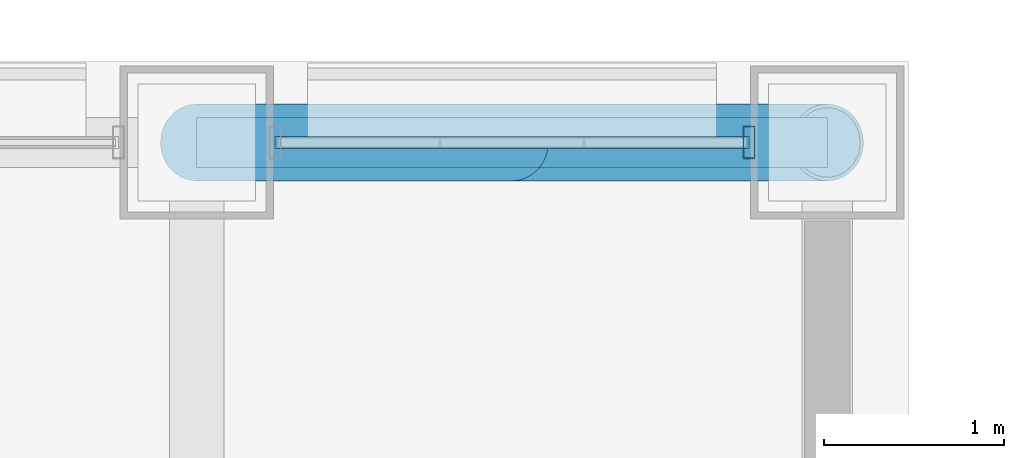
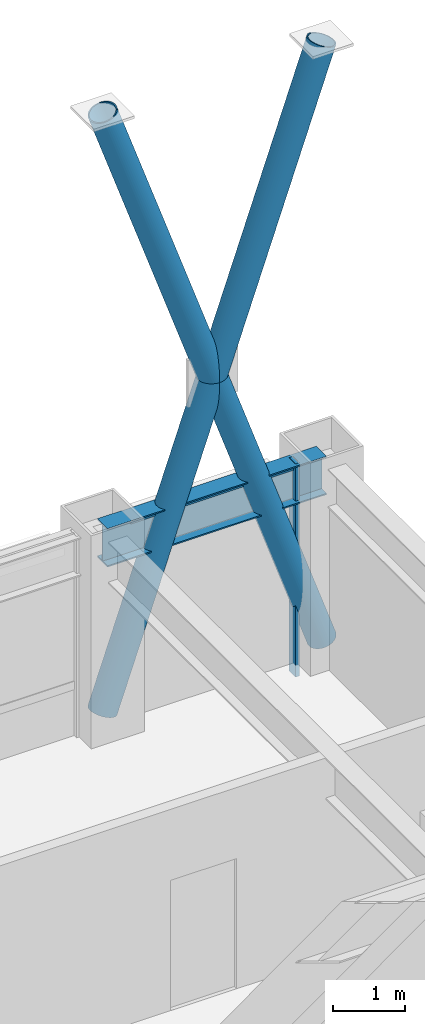
# One storey, part 23 of 32: 5 members, 1 beam, 1 element without a shape of its own.
"""IFC4 building model written with IfcOpenShell, lengths in metres."""

import ifcopenshell
import ifcopenshell.guid

model = None  # the IFC model being written
_history = None  # IfcOwnerHistory: only IFC2X3 demands one
_inside = {}  # id of a spatial element -> (the spatial element, [elements in it])
_under = {}  # id of a project, library or spatial element -> (it, [spatial elements below it])
_declared = {}  # id of a project -> (the project, [libraries it declares])
_typed = {}  # id of a type object -> (the type object, [elements of that type])
_made_of = {}  # id of a material, layer set ... -> (it, [elements and type objects made of it])


def new_model(schema):
    """Start an empty IFC model of exactly this schema.

    Asked for "IFC4X3", IfcOpenShell would pick the latest addendum, in which some entities
    have other attributes; the version numbers below select the first issue.
    IFC2X3 requires an IfcOwnerHistory on every rooted entity: one is made here for all.
    """
    global model, _history
    if schema == "IFC4X3":
        model = ifcopenshell.file(schema_version=(4, 3, 0, 0))
    else:
        model = ifcopenshell.file(schema=schema)
    _inside.clear()
    _under.clear()
    _declared.clear()
    _typed.clear()
    _made_of.clear()
    _history = None
    if model.schema == "IFC2X3":
        org = make("IfcOrganization", Name="unknown")
        user = make(
            "IfcPersonAndOrganization",
            ThePerson=make("IfcPerson", FamilyName="unknown"),
            TheOrganization=org,
        )
        app = make(
            "IfcApplication",
            ApplicationDeveloper=org,
            Version="unknown",
            ApplicationFullName="unknown",
            ApplicationIdentifier="unknown",
        )
        _history = make(
            "IfcOwnerHistory",
            OwningUser=user,
            OwningApplication=app,
            ChangeAction="ADDED",
            CreationDate=0,
        )
    return model


def make(cls, **values):
    """One entity of the class cls with the attributes given. An attribute that is None is left unset."""
    return model.create_entity(
        cls, **{name: value for name, value in values.items() if value is not None}
    )


def rooted(cls, **values):
    """An entity with a GlobalId (a new one), such as an element, a storey or a relation."""
    return make(cls, GlobalId=ifcopenshell.guid.new(), OwnerHistory=_history, **values)


def si_unit(unit_type, name, prefix=None):
    """IfcSIUnit, for example si_unit("LENGTHUNIT", "METRE", prefix="MILLI")."""
    return make("IfcSIUnit", UnitType=unit_type, Prefix=prefix, Name=name)


def assignment(units):
    """IfcUnitAssignment: the units of a project."""
    return None if units is None else make("IfcUnitAssignment", Units=units)


def point(xyz):
    """IfcCartesianPoint."""
    return None if xyz is None else make("IfcCartesianPoint", Coordinates=xyz)


def direction(xyz):
    """IfcDirection."""
    return None if xyz is None else make("IfcDirection", DirectionRatios=xyz)


def frame(location, z_axis=None, x_axis=None):
    """IfcAxis2Placement3D, a coordinate frame: its origin and axes. An axis left out is left unset."""
    return make(
        "IfcAxis2Placement3D",
        Location=point(location),
        Axis=direction(z_axis),
        RefDirection=direction(x_axis),
    )


def frame_2d(location, x_axis=None):
    """IfcAxis2Placement2D, a coordinate frame in the plane: its origin and x axis."""
    return make(
        "IfcAxis2Placement2D", Location=point(location), RefDirection=direction(x_axis)
    )


def origin():
    """The frame at (0, 0, 0) with its axes left unset."""
    return frame((0.0, 0.0, 0.0))


def origin_2d():
    """The frame at (0, 0) in the plane with its x axis left unset."""
    return frame_2d((0.0, 0.0))


def place(relative_to, where):
    """IfcLocalPlacement: puts the frame where relative to a parent placement (None: the world)."""
    return make(
        "IfcLocalPlacement", PlacementRelTo=relative_to, RelativePlacement=where
    )


def context(
    kind, dimensions, precision=None, world=None, true_north=None, identifier=None
):
    """IfcGeometricRepresentationContext, for example the 3D "Model" context."""
    return make(
        "IfcGeometricRepresentationContext",
        ContextIdentifier=identifier,
        ContextType=kind,
        CoordinateSpaceDimension=dimensions,
        Precision=precision,
        WorldCoordinateSystem=world,
        TrueNorth=true_north,
    )


def subcontext(parent, identifier, kind, view, scale=None):
    """IfcGeometricRepresentationSubContext, for example "Body" below "Model"."""
    return make(
        "IfcGeometricRepresentationSubContext",
        ContextIdentifier=identifier,
        ContextType=kind,
        ParentContext=parent,
        TargetScale=scale,
        TargetView=view,
    )


def project(units=None, contexts=None):
    """IfcProject with its units and contexts."""
    return rooted(
        "IfcProject",
        Name="project",
        RepresentationContexts=contexts,
        UnitsInContext=assignment(units),
    )


def spatial(cls, under=None, at=None, **own):
    """A site, building, storey or space (cls), placed at a placement, below another one or the project."""
    s = rooted(cls, ObjectPlacement=at, **own)
    if under is not None:
        _under.setdefault(under.id(), (under, []))[1].append(s)
    return s


def profile(cls, at=None, kind="AREA", **sizes):
    """A parametric profile (cls). Its sizes go by their IFC names, for example OverallWidth=200.0."""
    return make(cls, ProfileType=kind, Position=at, **sizes)


def hollow_rectangle(**sizes):
    """IfcRectangleHollowProfileDef."""
    return profile("IfcRectangleHollowProfileDef", **sizes)


def hollow_circle(**sizes):
    """IfcCircleHollowProfileDef."""
    return profile("IfcCircleHollowProfileDef", **sizes)


def i_section(**sizes):
    """IfcIShapeProfileDef."""
    return profile("IfcIShapeProfileDef", **sizes)


def extrude(swept, where, along, depth):
    """IfcExtrudedAreaSolid: the profile swept, set in the frame where, extruded along a direction by depth."""
    return make(
        "IfcExtrudedAreaSolid",
        SweptArea=swept,
        Position=where,
        ExtrudedDirection=direction(along),
        Depth=depth,
    )


def shape(context_of_items, identifier, shape_type, items):
    """IfcShapeRepresentation: the items that make up one representation, for example the "Body"."""
    return make(
        "IfcShapeRepresentation",
        ContextOfItems=context_of_items,
        RepresentationIdentifier=identifier,
        RepresentationType=shape_type,
        Items=items,
    )


def material(Name=None, Category=None):
    """IfcMaterial."""
    return make("IfcMaterial", Name=Name, Category=Category)


def layer(
    of_material, thickness, ventilated=None, Name=None, Category=None, Priority=None
):
    """IfcMaterialLayer: one layer of a wall or slab, of a material (None: an air gap)."""
    return make(
        "IfcMaterialLayer",
        Material=of_material,
        LayerThickness=thickness,
        IsVentilated=ventilated,
        Name=Name,
        Category=Category,
        Priority=Priority,
    )


def layer_set(layers, Name=None):
    """IfcMaterialLayerSet."""
    return make("IfcMaterialLayerSet", MaterialLayers=layers, LayerSetName=Name)


def material_profile(
    of_material, cross_section, Name=None, Category=None, Priority=None
):
    """IfcMaterialProfile: a cross section and its material."""
    return make(
        "IfcMaterialProfile",
        Name=Name,
        Material=of_material,
        Profile=cross_section,
        Priority=Priority,
        Category=Category,
    )


def profile_set(profiles, Name=None, composite=None):
    """IfcMaterialProfileSet."""
    return make(
        "IfcMaterialProfileSet",
        Name=Name,
        MaterialProfiles=profiles,
        CompositeProfile=composite,
    )


def made_of(thing, what):
    """Note that an element or type object is made of a material, layer set ...; save() writes the relation."""
    if what is not None:
        _made_of.setdefault(what.id(), (what, []))[1].append(thing)
    return thing


def type_object(cls, material=None, **own):
    """A type object (cls), such as IfcWallType, which elements share."""
    return made_of(rooted(cls, **own), material)


def element(
    cls,
    number,
    at=None,
    inside=None,
    cuts=None,
    type_object=None,
    material=None,
    context=None,
    identifier="Body",
    shape_type=None,
    held_by="IfcProductDefinitionShape",
    body=None,
    shapes=None,
    **own,
):
    """One element of the class cls, such as IfcWall. Its Tag is "e" and its number.

    at: its placement. inside: the storey or other place that contains it. cuts: it is an
    opening in that element (IfcRelVoidsElement). A single representation is given by context,
    identifier, shape_type and body (its items); several are given by shapes. held_by: the class
    of the entity that holds the representations. save() writes the other relations.
    """
    e = rooted(cls, Tag="e%d" % number, ObjectPlacement=at, **own)
    if body is not None:
        shapes = [shape(context, identifier, shape_type, body)]
    if shapes is not None:
        e.Representation = make(held_by, Representations=shapes)
    if inside is not None:
        _inside.setdefault(inside.id(), (inside, []))[1].append(e)
    if cuts is not None:
        rooted(
            "IfcRelVoidsElement", RelatingBuildingElement=cuts, RelatedOpeningElement=e
        )
    if type_object is not None:
        _typed.setdefault(type_object.id(), (type_object, []))[1].append(e)
    return made_of(e, material)


def aggregate(whole, parts):
    """IfcRelAggregates: a whole, such as a stair, and the parts it consists of."""
    return rooted("IfcRelAggregates", RelatingObject=whole, RelatedObjects=parts)


def save(model, path):
    """Write the relations noted so far, then the file.

    IfcRelAggregates (storeys below a building ...), IfcRelContainedInSpatialStructure (elements
    in a storey), IfcRelDefinesByType, IfcRelAssociatesMaterial and IfcRelDeclares: one each for
    every whole, place, type object, material and project.
    """
    for whole, parts in _under.values():
        aggregate(whole, parts)
    for where, things in _inside.values():
        rooted(
            "IfcRelContainedInSpatialStructure",
            RelatedElements=things,
            RelatingStructure=where,
        )
    for kind, things in _typed.values():
        rooted("IfcRelDefinesByType", RelatedObjects=things, RelatingType=kind)
    for what, things in _made_of.values():
        rooted("IfcRelAssociatesMaterial", RelatedObjects=things, RelatingMaterial=what)
    for by, libraries in _declared.values():
        rooted("IfcRelDeclares", RelatingContext=by, RelatedDefinitions=libraries)
    model.write(path)


model = new_model("IFC4")

# Units and contexts
model_context = context("Model", 3, precision=1e-05, world=origin(), true_north=direction((0.0, 1.0)))
body_context = subcontext(model_context, "Body", "Model", "MODEL_VIEW")
ifc_project = project(units=[si_unit("LENGTHUNIT", "METRE"), si_unit("AREAUNIT", "SQUARE_METRE"), si_unit("VOLUMEUNIT", "CUBIC_METRE"), si_unit("PLANEANGLEUNIT", "RADIAN"), si_unit("MASSUNIT", "GRAM", prefix="KILO")], contexts=[model_context])

# Site, building, storey
site_placement = place(None, origin())
site = spatial("IfcSite", under=ifc_project, at=site_placement, CompositionType="ELEMENT")
building_placement = place(site_placement, origin())
building = spatial("IfcBuilding", under=site, at=building_placement, Name="Brelmoor Portico Tower", CompositionType="ELEMENT")
storey_placement = place(building_placement, frame((0.0, 0.0, 109.800048828125)))
storey = spatial("IfcBuildingStorey", under=building, at=storey_placement, Name="L28", CompositionType="ELEMENT", Elevation=109.800048828125)

# Beam
ifc_material_1 = material(Name="Steel Q355B", Category="steel")
ifc_material_profile_1 = material_profile(ifc_material_1, i_section(OverallWidth=0.280029296875, OverallDepth=0.64990234375, WebThickness=0.012939453125, FlangeThickness=0.02197265625, at=origin_2d()), Name="HN 650x280x13x22")
ifc_profile_set_1 = profile_set([ifc_material_profile_1], Name="Steel Q355B")
beam_type = type_object("IfcBeamType", Name="BM-SP-650", PredefinedType="SPANDREL", material=ifc_profile_set_1)
beam_placement = place(storey_placement, frame((14.550048828125, 19.550048828125, 3.074951171875), z_axis=(1.0, 0.0, 0.0), x_axis=(0.0, 1.0, 0.0)))
element("IfcBeam", 1, at=beam_placement, inside=storey, type_object=beam_type, Name="L28 Perimeter Spandrel Beam SP-14", PredefinedType="SPANDREL", context=body_context, shape_type="SweptSolid", body=[
    extrude(i_section(OverallWidth=0.280029296875, OverallDepth=0.64990234375, WebThickness=0.012939453125, FlangeThickness=0.02197265625, at=origin_2d()), origin(), (0.0, 0.0, 1.0), 3.5),
])

# Members
ifc_material_profile_2 = material_profile(ifc_material_1, hollow_circle(Radius=0.212890625, WallThickness=0.02001953125, at=origin_2d()), Name="CHS 426x20")
ifc_profile_set_2 = profile_set([ifc_material_profile_2], Name="Steel Q355B")
member_type_1 = type_object("IfcMemberType", Name="MB-BELT-DIAG1", PredefinedType="BRACE", material=ifc_profile_set_2)
member_1_placement = place(storey_placement, frame((14.550048828125, 19.550048828125, 0.25), z_axis=(0.327436099292, 0.0, 0.944873325309), x_axis=(0.0, 1.0, 0.0)))
element("IfcMember", 2, at=member_1_placement, inside=storey, type_object=member_type_1, Name="L28 Continuous Mega-X Brace 060A", PredefinedType="BRACE", context=body_context, shape_type="SweptSolid", body=[
    extrude(hollow_circle(Radius=0.212890625, WallThickness=0.02001953125, at=origin_2d()), origin(), (0.0, 0.0, 1.0), 10.689208984375),
])
member_2_placement = place(storey_placement, frame((18.050048828125, 19.550048828125, 0.25), z_axis=(-0.327429033028, 0.0, 0.94487577402), x_axis=(0.0, -1.0, 0.0)))
element("IfcMember", 3, at=member_2_placement, inside=storey, type_object=member_type_1, Name="L28 Split Mega-X Brace 060B1", PredefinedType="BRACE", context=body_context, shape_type="SweptSolid", body=[
    extrude(hollow_circle(Radius=0.212890625, WallThickness=0.02001953125, at=origin_2d()), origin(), (0.0, 0.0, 1.0), 5.3447265625),
])
member_3_placement = place(storey_placement, frame((16.300048828125, 19.550048828125, 5.300048828125), z_axis=(-0.327443165844, 0.0, 0.944870876439), x_axis=(0.0, -1.0, 0.0)))
element("IfcMember", 4, at=member_3_placement, inside=storey, type_object=member_type_1, Name="L28 Split Mega-X Brace 060B2", PredefinedType="BRACE", context=body_context, shape_type="SweptSolid", body=[
    extrude(hollow_circle(Radius=0.212890625, WallThickness=0.02001953125, at=origin_2d()), origin(), (0.0, 0.0, 1.0), 5.344482421875),
])

# Curtain wall, members
ifc_material_2 = material(Name="Anodised Aluminium Alloy 6063-T6", Category="aluminium")
ifc_layer = layer(ifc_material_2, 0.179931640625)
ifc_layer_set = layer_set([ifc_layer], Name="Anodised Aluminium Alloy 6063-T6")
curtain_wall_type = type_object("IfcCurtainWallType", Name="CW-TOWER-Z2-XB", PredefinedType="NOTDEFINED", material=ifc_layer_set)
curtain_wall_placement = place(storey_placement, origin())
curtain_wall = element("IfcCurtainWall", 5, at=curtain_wall_placement, inside=storey, type_object=curtain_wall_type, Name="L28 Curtain Wall CW-L28-02-5", PredefinedType="NOTDEFINED")
ifc_material_profile_3 = material_profile(ifc_material_2, hollow_rectangle(XDim=0.06494140625, YDim=0.179931640625, WallThickness=0.00390625, at=origin_2d()), Name="ALU MULLION 65x180")
ifc_profile_set_3 = profile_set([ifc_material_profile_3], Name="Anodised Aluminium Alloy 6063-T6")
member_type_2 = type_object("IfcMemberType", Name="MB-CW-MULL-180", PredefinedType="MULLION", material=ifc_profile_set_3)
member_4_placement = place(storey_placement, frame((17.614990234375, 19.550048828125, -0.199951171875), z_axis=(0.0, 0.0, 1.0), x_axis=(1.0, 0.0, 0.0)))
member_4 = element("IfcMember", 6, at=member_4_placement, type_object=member_type_2, Name="CW-L28-02-5 Mullion 01", PredefinedType="MULLION", context=body_context, shape_type="SweptSolid", body=[
    extrude(hollow_rectangle(XDim=0.06494140625, YDim=0.179931640625, WallThickness=0.00390625, at=origin_2d()), origin(), (0.0, 0.0, 1.0), 3.599853515625),
])
ifc_material_profile_4 = material_profile(ifc_material_2, hollow_rectangle(XDim=0.06494140625, YDim=0.139892578125, WallThickness=0.00390625, at=origin_2d()), Name="ALU TRANSOM 65x140")
ifc_profile_set_4 = profile_set([ifc_material_profile_4], Name="Anodised Aluminium Alloy 6063-T6")
member_type_3 = type_object("IfcMemberType", Name="MB-CW-TRAN-140", PredefinedType="USERDEFINED", material=ifc_profile_set_4)
member_5_placement = place(storey_placement, frame((14.985107421875, 19.550048828125, 3.329833984375), z_axis=(1.0, 0.0, 0.0), x_axis=(0.0, 1.0, 0.0)))
member_5 = element("IfcMember", 7, at=member_5_placement, type_object=member_type_3, Name="CW-L28-02-5 Transom 1-00", ObjectType="TRANSOM", PredefinedType="USERDEFINED", context=body_context, shape_type="SweptSolid", body=[
    extrude(hollow_rectangle(XDim=0.06494140625, YDim=0.139892578125, WallThickness=0.00390625, at=origin_2d()), origin(), (0.0, 0.0, 1.0), 2.6298828125),
])
aggregate(curtain_wall, [member_4, member_5])

save(model, "model.ifc")
